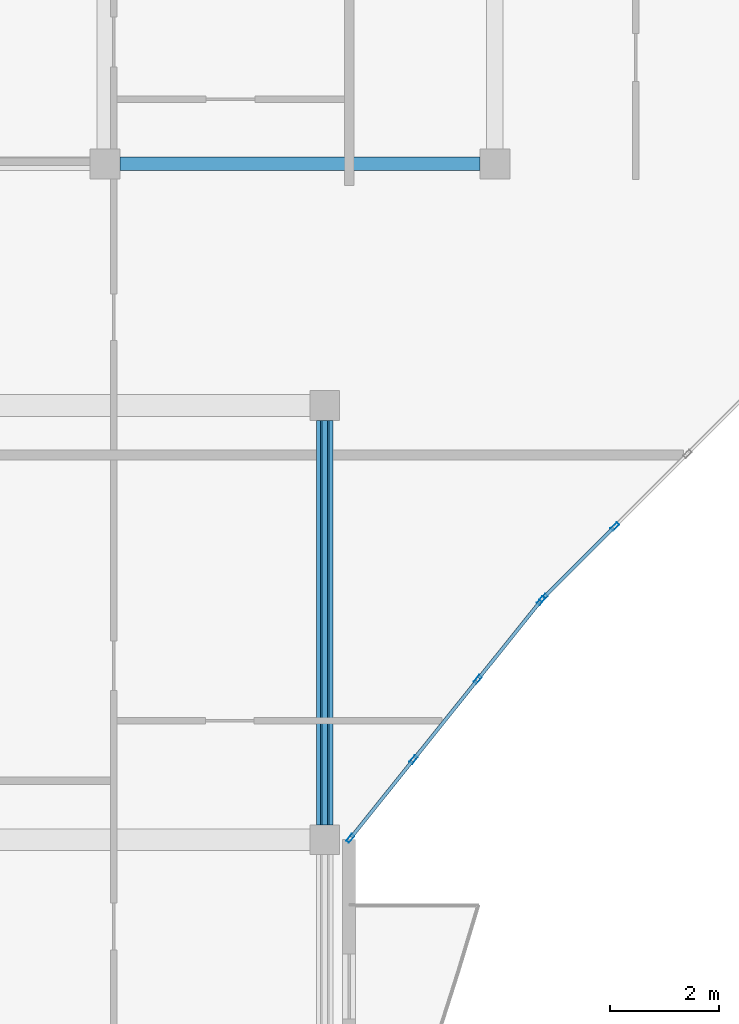
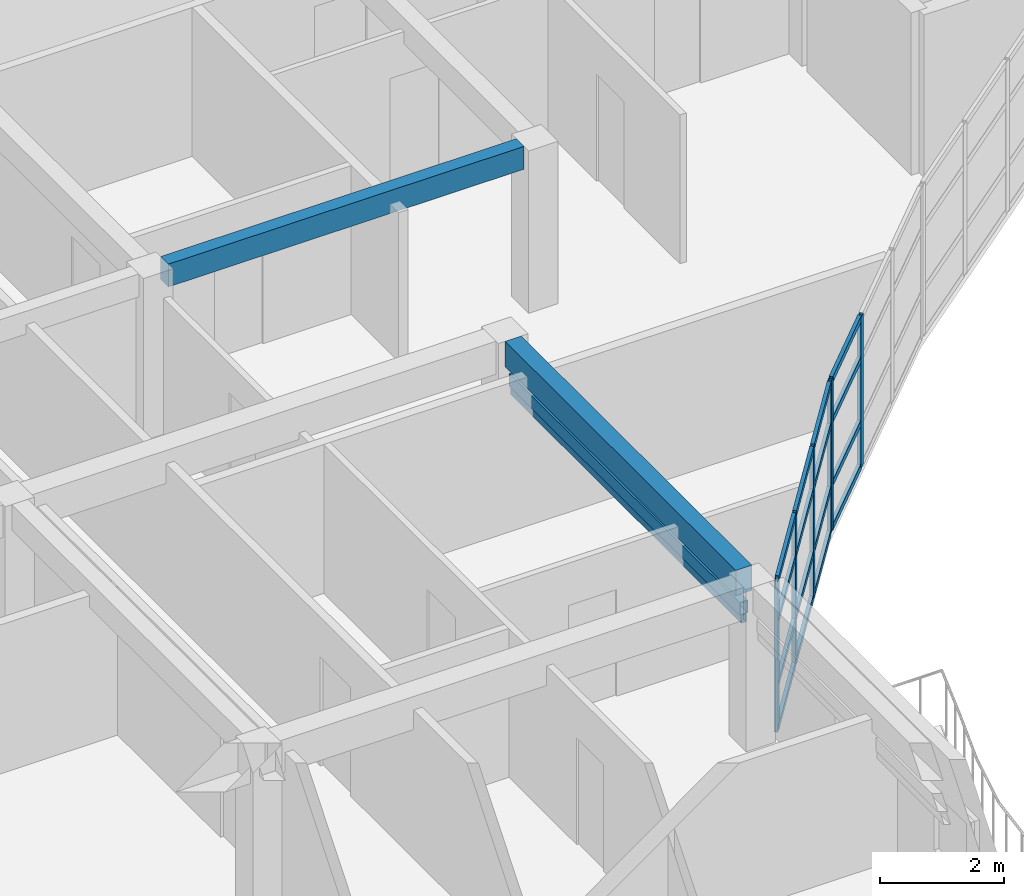
# One storey, part 15 of 68: 24 members, 2 beams, 2 elements without a shape of their own.
"""IFC4 building model written with IfcOpenShell, lengths in metres."""

from ifc_helpers import new_model, si_unit, direction, frame, origin, origin_2d, place, context, subcontext, project, spatial, rectangle, hollow_rectangle, extrude, material, layer, layer_set, material_profile, profile_set, type_object, element, aggregate, save


model = new_model("IFC4")

# Units and contexts
model_context = context("Model", 3, precision=1e-05, world=origin(), true_north=direction((0.0, 1.0)))
body_context = subcontext(model_context, "Body", "Model", "MODEL_VIEW")
ifc_project = project(units=[si_unit("LENGTHUNIT", "METRE"), si_unit("AREAUNIT", "SQUARE_METRE"), si_unit("VOLUMEUNIT", "CUBIC_METRE"), si_unit("PLANEANGLEUNIT", "RADIAN"), si_unit("MASSUNIT", "GRAM", prefix="KILO")], contexts=[model_context])

# Site, building, storey
site_placement = place(None, origin())
site = spatial("IfcSite", under=ifc_project, at=site_placement, CompositionType="ELEMENT")
building_placement = place(site_placement, origin())
building = spatial("IfcBuilding", under=site, at=building_placement, Name="Keldmere Railside Commons", CompositionType="ELEMENT")
storey_placement = place(building_placement, frame((0.0, 0.0, 23.360107421875)))
storey = spatial("IfcBuildingStorey", under=building, at=storey_placement, Name="L07", CompositionType="ELEMENT", Elevation=23.360107421875)

# Member
ifc_material_1 = material(Name="Steel F-36 (S355)", Category="steel")
ifc_material_profile_1 = material_profile(ifc_material_1, hollow_rectangle(XDim=0.14990234375, YDim=0.25, WallThickness=0.010009765625, at=origin_2d()), Name="RHS-250x150x10")
ifc_profile_set_1 = profile_set([ifc_material_profile_1], Name="Steel F-36 (S355)")
member_type_1 = type_object("IfcMemberType", Name="Balcony Continuous Planted Trough RHS250x150", PredefinedType="CHORD", material=ifc_profile_set_1)
member_1_placement = place(storey_placement, frame((119.550048828125, 88.27490234375, 2.414794921875), z_axis=(0.0, 1.0, 0.0), x_axis=(-1.0, 0.0, 0.0)))
element("IfcMember", 1, at=member_1_placement, inside=storey, type_object=member_type_1, Name="PLT-1 MEM-BPLT-0837", PredefinedType="CHORD", context=body_context, shape_type="SweptSolid", body=[
    extrude(hollow_rectangle(XDim=0.14990234375, YDim=0.25, WallThickness=0.010009765625, at=origin_2d()), origin(), (0.0, 0.0, 1.0), 7.4501953125),
])

# Beams
ifc_material_2 = material(Name="Architectural Precast Concrete H-35 (C35/45)", Category="concrete")
ifc_material_profile_2 = material_profile(ifc_material_2, rectangle(XDim=0.25, YDim=0.449951171875, at=origin_2d()), Name="RC-250x450")
ifc_profile_set_2 = profile_set([ifc_material_profile_2], Name="Architectural Precast Concrete H-35 (C35/45)")
beam_type_1 = type_object("IfcBeamType", Name="Perimeter Precast Spandrel Beam 250x450", PredefinedType="SPANDREL", material=ifc_profile_set_2)
beam_1_placement = place(storey_placement, frame((115.77490234375, 100.449951171875, 2.974853515625), z_axis=(1.0, 0.0, 0.0), x_axis=(0.0, 1.0, 0.0)))
element("IfcBeam", 2, at=beam_1_placement, inside=storey, type_object=beam_type_1, Name="SPB-1 BM-L07-2061", PredefinedType="SPANDREL", context=body_context, shape_type="SweptSolid", body=[
    extrude(rectangle(XDim=0.25, YDim=0.449951171875, at=origin_2d()), origin(), (0.0, 0.0, 1.0), 6.633056640625),
])
ifc_material_3 = material(Name="Concrete H-30 (C30/37)", Category="concrete")
ifc_material_profile_3 = material_profile(ifc_material_3, rectangle(XDim=0.300048828125, YDim=0.5, at=origin_2d()), Name="RC-300x500")
ifc_profile_set_3 = profile_set([ifc_material_profile_3], Name="Concrete H-30 (C30/37)")
beam_type_2 = type_object("IfcBeamType", Name="Secondary Frame RC Beam 300x500", PredefinedType="BEAM", material=ifc_profile_set_3)
beam_2_placement = place(storey_placement, frame((119.550048828125, 88.27490234375, 2.949951171875), z_axis=(0.0, 1.0, 0.0), x_axis=(-1.0, 0.0, 0.0)))
element("IfcBeam", 3, at=beam_2_placement, inside=storey, type_object=beam_type_2, Name="BG-5 BM-L07-2136", PredefinedType="BEAM", context=body_context, shape_type="SweptSolid", body=[
    extrude(rectangle(XDim=0.300048828125, YDim=0.5, at=origin_2d()), origin(), (0.0, 0.0, 1.0), 7.4501953125),
])

# Member
ifc_material_profile_4 = material_profile(ifc_material_1, hollow_rectangle(XDim=0.10009765625, YDim=0.159912109375, WallThickness=0.008056640625, at=origin_2d()), Name="RHS-160x100x8")
ifc_profile_set_4 = profile_set([ifc_material_profile_4], Name="Steel F-36 (S355)")
member_type_2 = type_object("IfcMemberType", Name="Solar Brise-Soleil Louvre Fin RHS160x100", PredefinedType="STRUT", material=ifc_profile_set_4)
member_2_placement = place(storey_placement, frame((119.550048828125, 88.27490234375, 2.199951171875), z_axis=(0.0, 1.0, 0.0), x_axis=(-1.0, 0.0, 0.0)))
element("IfcMember", 4, at=member_2_placement, inside=storey, type_object=member_type_2, Name="BSF-1 MEM-BSF-0838", PredefinedType="STRUT", context=body_context, shape_type="SweptSolid", body=[
    extrude(hollow_rectangle(XDim=0.10009765625, YDim=0.159912109375, WallThickness=0.008056640625, at=origin_2d()), origin(), (0.0, 0.0, 1.0), 7.4501953125),
])

# Curtain wall, members
ifc_material_4 = material(Name="Thermally Broken Aluminium", Category="aluminium")
ifc_layer_1 = layer(ifc_material_4, 0.159912109375, Name="Court Chord Wintergarden CW 4800x2850")
ifc_layer_set_1 = layer_set([ifc_layer_1], Name="Thermally Broken Aluminium")
curtain_wall_type_1 = type_object("IfcCurtainWallType", Name="Court Chord Wintergarden CW 4800x2850", PredefinedType="NOTDEFINED", material=ifc_layer_set_1)
curtain_wall_1_placement = place(storey_placement, origin())
curtain_wall_1 = element("IfcCurtainWall", 5, at=curtain_wall_1_placement, inside=storey, type_object=curtain_wall_type_1, Name="CW-12 CW-L07-127", PredefinedType="NOTDEFINED")
ifc_material_profile_5 = material_profile(ifc_material_4, hollow_rectangle(XDim=0.06494140625, YDim=0.159912109375, WallThickness=0.00390625, at=origin_2d()), Name="ALU-MULL-65x160")
ifc_profile_set_5 = profile_set([ifc_material_profile_5], Name="Thermally Broken Aluminium")
member_type_3 = type_object("IfcMemberType", Name="Unitised Curtain Wall Mullion 65x160", PredefinedType="MULLION", material=ifc_profile_set_5)
member_3_placement = place(storey_placement, frame((123.53369140625, 92.404541015625, 0.0), z_axis=(0.0, 0.0, 1.0), x_axis=(0.780009172323, -0.625768080915, 0.0)))
member_3 = element("IfcMember", 6, at=member_3_placement, type_object=member_type_3, Name="CW-12 mullion 1", PredefinedType="MULLION", context=body_context, shape_type="SweptSolid", body=[
    extrude(hollow_rectangle(XDim=0.06494140625, YDim=0.159912109375, WallThickness=0.00390625, at=origin_2d()), origin(), (0.0, 0.0, 1.0), 2.97998046875),
])
member_4_placement = place(storey_placement, frame((122.369384765625, 90.953369140625, 0.0), z_axis=(0.0, 0.0, 1.0), x_axis=(0.780009172323, -0.625768080915, 0.0)))
member_4 = element("IfcMember", 7, at=member_4_placement, type_object=member_type_3, Name="CW-12 mullion 2", PredefinedType="MULLION", context=body_context, shape_type="SweptSolid", body=[
    extrude(hollow_rectangle(XDim=0.06494140625, YDim=0.159912109375, WallThickness=0.00390625, at=origin_2d()), origin(), (0.0, 0.0, 1.0), 2.97998046875),
])
member_5_placement = place(storey_placement, frame((121.1845703125, 89.4765625, 0.0), z_axis=(0.0, 0.0, 1.0), x_axis=(0.780009172323, -0.625768080915, 0.0)))
member_5 = element("IfcMember", 8, at=member_5_placement, type_object=member_type_3, Name="CW-12 mullion 3", PredefinedType="MULLION", context=body_context, shape_type="SweptSolid", body=[
    extrude(hollow_rectangle(XDim=0.06494140625, YDim=0.159912109375, WallThickness=0.00390625, at=origin_2d()), origin(), (0.0, 0.0, 1.0), 2.97998046875),
])
member_6_placement = place(storey_placement, frame((120.020263671875, 88.025390625, 0.0), z_axis=(0.0, 0.0, 1.0), x_axis=(0.780009172323, -0.625768080915, 0.0)))
member_6 = element("IfcMember", 9, at=member_6_placement, type_object=member_type_3, Name="CW-12 mullion 4", PredefinedType="MULLION", context=body_context, shape_type="SweptSolid", body=[
    extrude(hollow_rectangle(XDim=0.06494140625, YDim=0.159912109375, WallThickness=0.00390625, at=origin_2d()), origin(), (0.0, 0.0, 1.0), 2.97998046875),
])

ifc_layer_2 = layer(ifc_material_4, 0.159912109375, Name="Court Chord Wintergarden CW 5400x2850")
ifc_layer_set_2 = layer_set([ifc_layer_2], Name="Thermally Broken Aluminium")
curtain_wall_type_2 = type_object("IfcCurtainWallType", Name="Court Chord Wintergarden CW 5400x2850", PredefinedType="NOTDEFINED", material=ifc_layer_set_2)
curtain_wall_2_placement = place(storey_placement, origin())
curtain_wall_2 = element("IfcCurtainWall", 10, at=curtain_wall_2_placement, inside=storey, type_object=curtain_wall_type_2, Name="CW-13 CW-L07-128", PredefinedType="NOTDEFINED")
member_7_placement = place(storey_placement, frame((124.892578125, 93.7685546875, 0.0), z_axis=(0.0, 0.0, 1.0), x_axis=(0.707106781187, -0.707106781187, 0.0)))
member_7 = element("IfcMember", 11, at=member_7_placement, type_object=member_type_3, Name="CW-13 mullion 3", PredefinedType="MULLION", context=body_context, shape_type="SweptSolid", body=[
    extrude(hollow_rectangle(XDim=0.06494140625, YDim=0.159912109375, WallThickness=0.00390625, at=origin_2d()), origin(), (0.0, 0.0, 1.0), 2.97998046875),
])
member_8_placement = place(storey_placement, frame((123.576904296875, 92.452880859375, 0.0), z_axis=(0.0, 0.0, 1.0), x_axis=(0.707106781187, -0.707106781187, 0.0)))
member_8 = element("IfcMember", 12, at=member_8_placement, type_object=member_type_3, Name="CW-13 mullion 4", PredefinedType="MULLION", context=body_context, shape_type="SweptSolid", body=[
    extrude(hollow_rectangle(XDim=0.06494140625, YDim=0.159912109375, WallThickness=0.00390625, at=origin_2d()), origin(), (0.0, 0.0, 1.0), 2.97998046875),
])

# Member
ifc_material_profile_6 = material_profile(ifc_material_4, hollow_rectangle(XDim=0.06494140625, YDim=0.1201171875, WallThickness=0.00390625, at=origin_2d()), Name="ALU-TRAN-65x120")
ifc_profile_set_6 = profile_set([ifc_material_profile_6], Name="Thermally Broken Aluminium")
member_type_4 = type_object("IfcMemberType", Name="Unitised Curtain Wall Transom 65x120", PredefinedType="USERDEFINED", material=ifc_profile_set_6)
member_9_placement = place(storey_placement, frame((123.513427734375, 92.37939453125, 0.032470703125), z_axis=(-0.625805275091, -0.779979331565, 0.0), x_axis=(0.779979331565, -0.625805275091, 0.0)))
member_9 = element("IfcMember", 13, at=member_9_placement, type_object=member_type_4, Name="CW-12 transom 1.1", ObjectType="TRANSOM", PredefinedType="USERDEFINED", context=body_context, shape_type="SweptSolid", body=[
    extrude(hollow_rectangle(XDim=0.06494140625, YDim=0.1201171875, WallThickness=0.00390625, at=origin_2d()), origin(), (0.0, 0.0, 1.0), 1.795654296875),
])

member_10_placement = place(storey_placement, frame((123.513427734375, 92.37939453125, 0.89990234375), z_axis=(-0.625805275091, -0.779979331565, 0.0), x_axis=(0.779979331565, -0.625805275091, 0.0)))
member_10 = element("IfcMember", 14, at=member_10_placement, type_object=member_type_4, Name="CW-12 transom 1.2", ObjectType="TRANSOM", PredefinedType="USERDEFINED", context=body_context, shape_type="SweptSolid", body=[
    extrude(hollow_rectangle(XDim=0.06494140625, YDim=0.1201171875, WallThickness=0.00390625, at=origin_2d()), origin(), (0.0, 0.0, 1.0), 1.795654296875),
])

member_11_placement = place(storey_placement, frame((123.513427734375, 92.37939453125, 2.14990234375), z_axis=(-0.625805275091, -0.779979331565, 0.0), x_axis=(0.779979331565, -0.625805275091, 0.0)))
member_11 = element("IfcMember", 15, at=member_11_placement, type_object=member_type_4, Name="CW-12 transom 1.3", ObjectType="TRANSOM", PredefinedType="USERDEFINED", context=body_context, shape_type="SweptSolid", body=[
    extrude(hollow_rectangle(XDim=0.06494140625, YDim=0.1201171875, WallThickness=0.00390625, at=origin_2d()), origin(), (0.0, 0.0, 1.0), 1.795654296875),
])

member_12_placement = place(storey_placement, frame((123.513427734375, 92.37939453125, 2.947509765625), z_axis=(-0.625805275091, -0.779979331565, 0.0), x_axis=(0.779979331565, -0.625805275091, 0.0)))
member_12 = element("IfcMember", 16, at=member_12_placement, type_object=member_type_4, Name="CW-12 transom 1.4", ObjectType="TRANSOM", PredefinedType="USERDEFINED", context=body_context, shape_type="SweptSolid", body=[
    extrude(hollow_rectangle(XDim=0.06494140625, YDim=0.1201171875, WallThickness=0.00390625, at=origin_2d()), origin(), (0.0, 0.0, 1.0), 1.795654296875),
])

member_13_placement = place(storey_placement, frame((122.348876953125, 90.927978515625, 0.032470703125), z_axis=(-0.625688033635, -0.78007338409, 0.0), x_axis=(0.78007338409, -0.625688033635, 0.0)))
member_13 = element("IfcMember", 17, at=member_13_placement, type_object=member_type_4, Name="CW-12 transom 2.1", ObjectType="TRANSOM", PredefinedType="USERDEFINED", context=body_context, shape_type="SweptSolid", body=[
    extrude(hollow_rectangle(XDim=0.06494140625, YDim=0.1201171875, WallThickness=0.00390625, at=origin_2d()), origin(), (0.0, 0.0, 1.0), 1.828125),
])

member_14_placement = place(storey_placement, frame((122.348876953125, 90.927978515625, 0.89990234375), z_axis=(-0.625688033635, -0.78007338409, 0.0), x_axis=(0.78007338409, -0.625688033635, 0.0)))
member_14 = element("IfcMember", 18, at=member_14_placement, type_object=member_type_4, Name="CW-12 transom 2.2", ObjectType="TRANSOM", PredefinedType="USERDEFINED", context=body_context, shape_type="SweptSolid", body=[
    extrude(hollow_rectangle(XDim=0.06494140625, YDim=0.1201171875, WallThickness=0.00390625, at=origin_2d()), origin(), (0.0, 0.0, 1.0), 1.828125),
])

member_15_placement = place(storey_placement, frame((122.348876953125, 90.927978515625, 2.14990234375), z_axis=(-0.625688033635, -0.78007338409, 0.0), x_axis=(0.78007338409, -0.625688033635, 0.0)))
member_15 = element("IfcMember", 19, at=member_15_placement, type_object=member_type_4, Name="CW-12 transom 2.3", ObjectType="TRANSOM", PredefinedType="USERDEFINED", context=body_context, shape_type="SweptSolid", body=[
    extrude(hollow_rectangle(XDim=0.06494140625, YDim=0.1201171875, WallThickness=0.00390625, at=origin_2d()), origin(), (0.0, 0.0, 1.0), 1.828125),
])

member_16_placement = place(storey_placement, frame((122.348876953125, 90.927978515625, 2.947509765625), z_axis=(-0.625688033635, -0.78007338409, 0.0), x_axis=(0.78007338409, -0.625688033635, 0.0)))
member_16 = element("IfcMember", 20, at=member_16_placement, type_object=member_type_4, Name="CW-12 transom 2.4", ObjectType="TRANSOM", PredefinedType="USERDEFINED", context=body_context, shape_type="SweptSolid", body=[
    extrude(hollow_rectangle(XDim=0.06494140625, YDim=0.1201171875, WallThickness=0.00390625, at=origin_2d()), origin(), (0.0, 0.0, 1.0), 1.828125),
])

member_17_placement = place(storey_placement, frame((121.164306640625, 89.451416015625, 0.032470703125), z_axis=(-0.625722553313, -0.780045694992, 0.0), x_axis=(0.780045694992, -0.625722553313, 0.0)))
member_17 = element("IfcMember", 21, at=member_17_placement, type_object=member_type_4, Name="CW-12 transom 3.1", ObjectType="TRANSOM", PredefinedType="USERDEFINED", context=body_context, shape_type="SweptSolid", body=[
    extrude(hollow_rectangle(XDim=0.06494140625, YDim=0.1201171875, WallThickness=0.00390625, at=origin_2d()), origin(), (0.0, 0.0, 1.0), 1.795654296875),
])

member_18_placement = place(storey_placement, frame((121.164306640625, 89.451416015625, 0.89990234375), z_axis=(-0.625722553313, -0.780045694992, 0.0), x_axis=(0.780045694992, -0.625722553313, 0.0)))
member_18 = element("IfcMember", 22, at=member_18_placement, type_object=member_type_4, Name="CW-12 transom 3.2", ObjectType="TRANSOM", PredefinedType="USERDEFINED", context=body_context, shape_type="SweptSolid", body=[
    extrude(hollow_rectangle(XDim=0.06494140625, YDim=0.1201171875, WallThickness=0.00390625, at=origin_2d()), origin(), (0.0, 0.0, 1.0), 1.795654296875),
])

member_19_placement = place(storey_placement, frame((121.164306640625, 89.451416015625, 2.14990234375), z_axis=(-0.625722553313, -0.780045694992, 0.0), x_axis=(0.780045694992, -0.625722553313, 0.0)))
member_19 = element("IfcMember", 23, at=member_19_placement, type_object=member_type_4, Name="CW-12 transom 3.3", ObjectType="TRANSOM", PredefinedType="USERDEFINED", context=body_context, shape_type="SweptSolid", body=[
    extrude(hollow_rectangle(XDim=0.06494140625, YDim=0.1201171875, WallThickness=0.00390625, at=origin_2d()), origin(), (0.0, 0.0, 1.0), 1.795654296875),
])

member_20_placement = place(storey_placement, frame((121.164306640625, 89.451416015625, 2.947509765625), z_axis=(-0.625722553313, -0.780045694992, 0.0), x_axis=(0.780045694992, -0.625722553313, 0.0)))
member_20 = element("IfcMember", 24, at=member_20_placement, type_object=member_type_4, Name="CW-12 transom 3.4", ObjectType="TRANSOM", PredefinedType="USERDEFINED", context=body_context, shape_type="SweptSolid", body=[
    extrude(hollow_rectangle(XDim=0.06494140625, YDim=0.1201171875, WallThickness=0.00390625, at=origin_2d()), origin(), (0.0, 0.0, 1.0), 1.795654296875),
])

aggregate(curtain_wall_1, [member_3, member_4, member_5, member_6, member_9, member_10, member_11, member_12, member_13, member_14, member_15, member_16, member_17, member_18, member_19, member_20])

member_21_placement = place(storey_placement, frame((124.86962890625, 93.74560546875, 0.032470703125), z_axis=(-0.707174762418, -0.707038793419, 0.0), x_axis=(0.707038793419, -0.707174762418, 0.0)))
member_21 = element("IfcMember", 25, at=member_21_placement, type_object=member_type_4, Name="CW-13 transom 3.1", ObjectType="TRANSOM", PredefinedType="USERDEFINED", context=body_context, shape_type="SweptSolid", body=[
    extrude(hollow_rectangle(XDim=0.06494140625, YDim=0.1201171875, WallThickness=0.00390625, at=origin_2d()), origin(), (0.0, 0.0, 1.0), 1.795654296875),
])

member_22_placement = place(storey_placement, frame((124.86962890625, 93.74560546875, 0.89990234375), z_axis=(-0.707174762418, -0.707038793419, 0.0), x_axis=(0.707038793419, -0.707174762418, 0.0)))
member_22 = element("IfcMember", 26, at=member_22_placement, type_object=member_type_4, Name="CW-13 transom 3.2", ObjectType="TRANSOM", PredefinedType="USERDEFINED", context=body_context, shape_type="SweptSolid", body=[
    extrude(hollow_rectangle(XDim=0.06494140625, YDim=0.1201171875, WallThickness=0.00390625, at=origin_2d()), origin(), (0.0, 0.0, 1.0), 1.795654296875),
])

member_23_placement = place(storey_placement, frame((124.86962890625, 93.74560546875, 2.14990234375), z_axis=(-0.707174762418, -0.707038793419, 0.0), x_axis=(0.707038793419, -0.707174762418, 0.0)))
member_23 = element("IfcMember", 27, at=member_23_placement, type_object=member_type_4, Name="CW-13 transom 3.3", ObjectType="TRANSOM", PredefinedType="USERDEFINED", context=body_context, shape_type="SweptSolid", body=[
    extrude(hollow_rectangle(XDim=0.06494140625, YDim=0.1201171875, WallThickness=0.00390625, at=origin_2d()), origin(), (0.0, 0.0, 1.0), 1.795654296875),
])

member_24_placement = place(storey_placement, frame((124.86962890625, 93.74560546875, 2.947509765625), z_axis=(-0.707174762418, -0.707038793419, 0.0), x_axis=(0.707038793419, -0.707174762418, 0.0)))
member_24 = element("IfcMember", 28, at=member_24_placement, type_object=member_type_4, Name="CW-13 transom 3.4", ObjectType="TRANSOM", PredefinedType="USERDEFINED", context=body_context, shape_type="SweptSolid", body=[
    extrude(hollow_rectangle(XDim=0.06494140625, YDim=0.1201171875, WallThickness=0.00390625, at=origin_2d()), origin(), (0.0, 0.0, 1.0), 1.795654296875),
])

aggregate(curtain_wall_2, [member_7, member_8, member_21, member_22, member_23, member_24])

save(model, "model.ifc")
